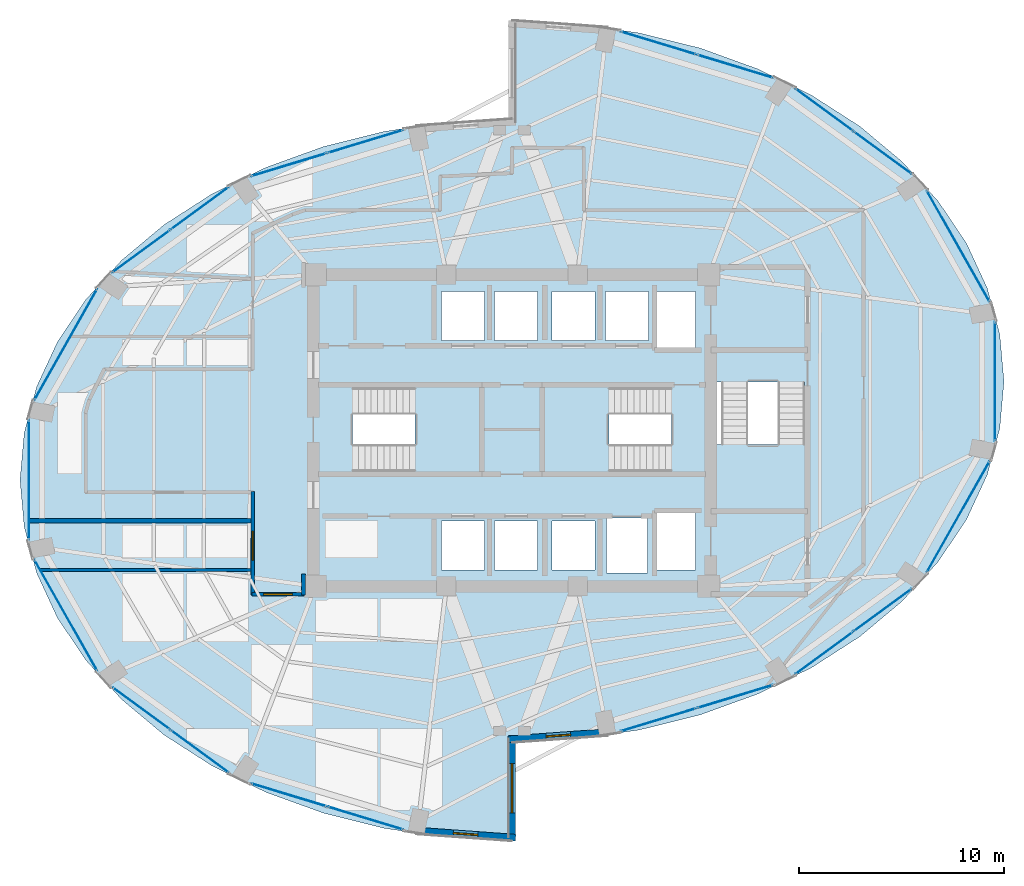
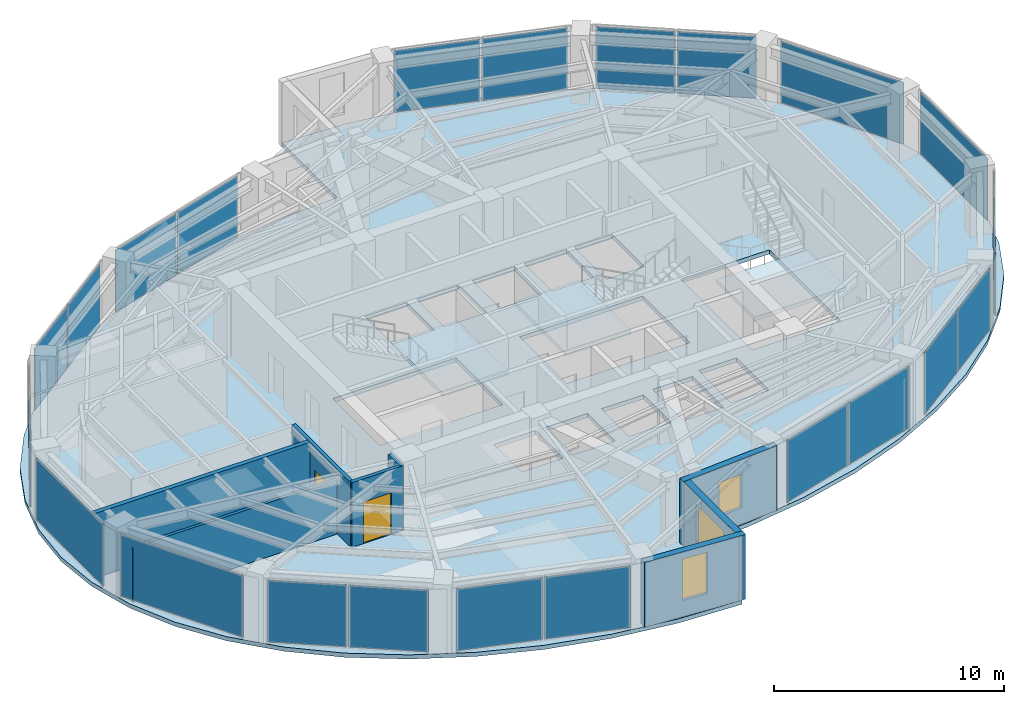
# One storey, part 15 of 20: 22 plates, 8 walls, 4 slabs, 3 windows, 2 doors, 5 openings, 17 elements without a shape of their own.
"""IFC4 building model written with IfcOpenShell, lengths in metres."""

from ifc_helpers import new_model, si_unit, direction, frame, frame_2d, origin, origin_2d, place, context, subcontext, project, spatial, polyline, rectangle, outline, extrude, material, layer, layer_set, type_object, element, fill, aggregate, save


model = new_model("IFC4")

# Units and contexts
model_context = context("Model", 3, precision=1e-05, world=origin(), true_north=direction((0.0, 1.0)))
body_context = subcontext(model_context, "Body", "Model", "MODEL_VIEW")
ifc_project = project(units=[si_unit("LENGTHUNIT", "METRE"), si_unit("AREAUNIT", "SQUARE_METRE"), si_unit("VOLUMEUNIT", "CUBIC_METRE"), si_unit("PLANEANGLEUNIT", "RADIAN"), si_unit("MASSUNIT", "GRAM", prefix="KILO")], contexts=[model_context])

# Site, building, storey
site_placement = place(None, origin())
site = spatial("IfcSite", under=ifc_project, at=site_placement, CompositionType="ELEMENT")
building_placement = place(site_placement, origin())
building = spatial("IfcBuilding", under=site, at=building_placement, Name="Lazwardi Medical Tower", CompositionType="ELEMENT")
storey_placement = place(building_placement, frame((0.0, 0.0, 174.76806640625)))
storey = spatial("IfcBuildingStorey", under=building, at=storey_placement, Name="L45", CompositionType="ELEMENT", Elevation=174.76806640625)

# Curtain wall, plates
ifc_material_1 = material(Name="Anodised bronze aluminium and solar control glazing", Category="aluminium")
ifc_layer_1 = layer(ifc_material_1, 0.195068359375)
ifc_layer_set_1 = layer_set([ifc_layer_1], Name="Anodised bronze aluminium and solar control glazing")
curtain_wall_type = type_object("IfcCurtainWallType", Name="CW-SYS-03", PredefinedType="NOTDEFINED", material=ifc_layer_set_1)
curtain_wall_1_placement = place(storey_placement, origin())
curtain_wall_1 = element("IfcCurtainWall", 1, at=curtain_wall_1_placement, inside=storey, type_object=curtain_wall_type, Name="L45 Unitised bronze curtain wall CW-03", PredefinedType="NOTDEFINED")
ifc_material_2 = material(Name="Low-e bronze solar control double glazing", Category="glass")
ifc_layer_2 = layer(ifc_material_2, 0.035888671875)
ifc_layer_set_2 = layer_set([ifc_layer_2], Name="Low-e bronze solar control double glazing")
plate_type = type_object("IfcPlateType", Name="PLT-GLZ-01", PredefinedType="CURTAIN_PANEL", material=ifc_layer_set_2)
plate_1_placement = place(storey_placement, frame((43.1435546875, 13.8935546875, 0.07470703125), z_axis=(0.0, 0.0, 1.0), x_axis=(0.956941516292, 0.290280785441, 0.0)))
plate_1 = element("IfcPlate", 2, at=plate_1_placement, type_object=plate_type, Name="CW-03 panel 1.1", PredefinedType="CURTAIN_PANEL", context=body_context, shape_type="SweptSolid", body=[
    extrude(rectangle(XDim=3.83642578125, YDim=0.035888671875, at=origin_2d()), origin(), (0.0, 0.0, 1.0), 3.278076171875),
])
plate_2_placement = place(storey_placement, frame((46.88671875, 15.029052734375, 0.07470703125), z_axis=(0.0, 0.0, 1.0), x_axis=(0.956941516292, 0.290280785441, 0.0)))
plate_2 = element("IfcPlate", 3, at=plate_2_placement, type_object=plate_type, Name="CW-03 panel 2.1", PredefinedType="CURTAIN_PANEL", context=body_context, shape_type="SweptSolid", body=[
    extrude(rectangle(XDim=3.83642578125, YDim=0.035888671875, at=origin_2d()), origin(), (0.0, 0.0, 1.0), 3.278076171875),
])
aggregate(curtain_wall_1, [plate_1, plate_2])

curtain_wall_2_placement = place(storey_placement, origin())
curtain_wall_2 = element("IfcCurtainWall", 4, at=curtain_wall_2_placement, inside=storey, type_object=curtain_wall_type, Name="L45 Unitised bronze curtain wall CW-03", PredefinedType="NOTDEFINED")
plate_3_placement = place(storey_placement, frame((51.2265625, 17.153076171875, 0.07470703125), z_axis=(0.0, 0.0, 1.0), x_axis=(0.806793249082, 0.590833862635, 0.0)))
plate_3 = element("IfcPlate", 5, at=plate_3_placement, type_object=plate_type, Name="CW-03 panel 1.1", PredefinedType="CURTAIN_PANEL", context=body_context, shape_type="SweptSolid", body=[
    extrude(rectangle(XDim=3.472412109375, YDim=0.035888671875, at=origin_2d()), origin(), (0.0, 0.0, 1.0), 3.278076171875),
])
plate_4_placement = place(storey_placement, frame((54.088623046875, 19.2490234375, 0.07470703125), z_axis=(0.0, 0.0, 1.0), x_axis=(0.806793249082, 0.590833862635, 0.0)))
plate_4 = element("IfcPlate", 6, at=plate_4_placement, type_object=plate_type, Name="CW-03 panel 2.1", PredefinedType="CURTAIN_PANEL", context=body_context, shape_type="SweptSolid", body=[
    extrude(rectangle(XDim=3.472412109375, YDim=0.035888671875, at=origin_2d()), origin(), (0.0, 0.0, 1.0), 3.278076171875),
])
aggregate(curtain_wall_2, [plate_3, plate_4])

# Curtain wall, plate
curtain_wall_3_placement = place(storey_placement, origin())
curtain_wall_3 = element("IfcCurtainWall", 7, at=curtain_wall_3_placement, inside=storey, type_object=curtain_wall_type, Name="L45 Unitised bronze curtain wall CW-03", PredefinedType="NOTDEFINED")
plate_5_placement = place(storey_placement, frame((57.764404296875, 23.798095703125, 0.07470703125), z_axis=(0.0, 0.0, 1.0), x_axis=(0.492311672683, 0.870418989303, 0.0)))
plate_5 = element("IfcPlate", 8, at=plate_5_placement, type_object=plate_type, Name="CW-03 panel 1.1", PredefinedType="CURTAIN_PANEL", context=body_context, shape_type="SweptSolid", body=[
    extrude(rectangle(XDim=6.208740234375, YDim=0.035888671875, at=origin_2d()), origin(), (0.0, 0.0, 1.0), 3.278076171875),
])
aggregate(curtain_wall_3, [plate_5])

curtain_wall_4_placement = place(storey_placement, origin())
curtain_wall_4 = element("IfcCurtainWall", 9, at=curtain_wall_4_placement, inside=storey, type_object=curtain_wall_type, Name="L45 Unitised bronze curtain wall CW-03", PredefinedType="NOTDEFINED")
plate_6_placement = place(storey_placement, frame((59.5576171875, 30.39990234375, 0.07470703125), z_axis=(0.0, 0.0, 1.0), x_axis=(0.0, 1.0, 0.0)))
plate_6 = element("IfcPlate", 10, at=plate_6_placement, type_object=plate_type, Name="CW-03 panel 1.1", PredefinedType="CURTAIN_PANEL", context=body_context, shape_type="SweptSolid", body=[
    extrude(rectangle(XDim=5.8408203125, YDim=0.035888671875, at=origin_2d()), origin(), (0.0, 0.0, 1.0), 3.278076171875),
])
aggregate(curtain_wall_4, [plate_6])

curtain_wall_5_placement = place(storey_placement, origin())
curtain_wall_5 = element("IfcCurtainWall", 11, at=curtain_wall_5_placement, inside=storey, type_object=curtain_wall_type, Name="L45 Unitised bronze curtain wall CW-03", PredefinedType="NOTDEFINED")
plate_7_placement = place(storey_placement, frame((57.764404296875, 37.001953125, 0.07470703125), z_axis=(0.0, 0.0, 1.0), x_axis=(-0.492311672683, 0.870418989303, 0.0)))
plate_7 = element("IfcPlate", 12, at=plate_7_placement, type_object=plate_type, Name="CW-03 panel 1.1", PredefinedType="CURTAIN_PANEL", context=body_context, shape_type="SweptSolid", body=[
    extrude(rectangle(XDim=6.208740234375, YDim=0.035888671875, at=origin_2d()), origin(), (0.0, 0.0, 1.0), 3.278076171875),
])
aggregate(curtain_wall_5, [plate_7])

# Curtain wall, plates
curtain_wall_6_placement = place(storey_placement, origin())
curtain_wall_6 = element("IfcCurtainWall", 13, at=curtain_wall_6_placement, inside=storey, type_object=curtain_wall_type, Name="L45 Unitised bronze curtain wall CW-03", PredefinedType="NOTDEFINED")
plate_8_placement = place(storey_placement, frame((54.088623046875, 41.551025390625, 0.07470703125), z_axis=(0.0, 0.0, 1.0), x_axis=(-0.806793249082, 0.590833862635, 0.0)))
plate_8 = element("IfcPlate", 14, at=plate_8_placement, type_object=plate_type, Name="CW-03 panel 1.1", PredefinedType="CURTAIN_PANEL", context=body_context, shape_type="SweptSolid", body=[
    extrude(rectangle(XDim=3.472412109375, YDim=0.035888671875, at=origin_2d()), origin(), (0.0, 0.0, 1.0), 3.278076171875),
])
plate_9_placement = place(storey_placement, frame((51.2265625, 43.64697265625, 0.07470703125), z_axis=(0.0, 0.0, 1.0), x_axis=(-0.806793249082, 0.590833862635, 0.0)))
plate_9 = element("IfcPlate", 15, at=plate_9_placement, type_object=plate_type, Name="CW-03 panel 2.1", PredefinedType="CURTAIN_PANEL", context=body_context, shape_type="SweptSolid", body=[
    extrude(rectangle(XDim=3.472412109375, YDim=0.035888671875, at=origin_2d()), origin(), (0.0, 0.0, 1.0), 3.278076171875),
])
aggregate(curtain_wall_6, [plate_8, plate_9])

curtain_wall_7_placement = place(storey_placement, origin())
curtain_wall_7 = element("IfcCurtainWall", 16, at=curtain_wall_7_placement, inside=storey, type_object=curtain_wall_type, Name="L45 Unitised bronze curtain wall CW-03", PredefinedType="NOTDEFINED")
plate_10_placement = place(storey_placement, frame((46.88671875, 45.77099609375, 0.07470703125), z_axis=(0.0, 0.0, 1.0), x_axis=(-0.956941516292, 0.290280785441, 0.0)))
plate_10 = element("IfcPlate", 17, at=plate_10_placement, type_object=plate_type, Name="CW-03 panel 1.1", PredefinedType="CURTAIN_PANEL", context=body_context, shape_type="SweptSolid", body=[
    extrude(rectangle(XDim=3.83642578125, YDim=0.035888671875, at=origin_2d()), origin(), (0.0, 0.0, 1.0), 3.278076171875),
])
plate_11_placement = place(storey_placement, frame((43.1435546875, 46.906494140625, 0.07470703125), z_axis=(0.0, 0.0, 1.0), x_axis=(-0.956941516292, 0.290280785441, 0.0)))
plate_11 = element("IfcPlate", 18, at=plate_11_placement, type_object=plate_type, Name="CW-03 panel 2.1", PredefinedType="CURTAIN_PANEL", context=body_context, shape_type="SweptSolid", body=[
    extrude(rectangle(XDim=3.83642578125, YDim=0.035888671875, at=origin_2d()), origin(), (0.0, 0.0, 1.0), 3.278076171875),
])
aggregate(curtain_wall_7, [plate_10, plate_11])

curtain_wall_8_placement = place(storey_placement, origin())
curtain_wall_8 = element("IfcCurtainWall", 19, at=curtain_wall_8_placement, inside=storey, type_object=curtain_wall_type, Name="L45 Unitised bronze curtain wall CW-03", PredefinedType="NOTDEFINED")
plate_12_placement = place(storey_placement, frame((28.8564453125, 42.1064453125, 0.07470703125), z_axis=(0.0, 0.0, 1.0), x_axis=(-0.956941516292, -0.290280785441, 0.0)))
plate_12 = element("IfcPlate", 20, at=plate_12_placement, type_object=plate_type, Name="CW-03 panel 1.1", PredefinedType="CURTAIN_PANEL", context=body_context, shape_type="SweptSolid", body=[
    extrude(rectangle(XDim=3.83642578125, YDim=0.035888671875, at=origin_2d()), origin(), (0.0, 0.0, 1.0), 3.278076171875),
])
plate_13_placement = place(storey_placement, frame((25.11328125, 40.970947265625, 0.07470703125), z_axis=(0.0, 0.0, 1.0), x_axis=(-0.956941516292, -0.290280785441, 0.0)))
plate_13 = element("IfcPlate", 21, at=plate_13_placement, type_object=plate_type, Name="CW-03 panel 2.1", PredefinedType="CURTAIN_PANEL", context=body_context, shape_type="SweptSolid", body=[
    extrude(rectangle(XDim=3.83642578125, YDim=0.035888671875, at=origin_2d()), origin(), (0.0, 0.0, 1.0), 3.278076171875),
])
aggregate(curtain_wall_8, [plate_12, plate_13])

curtain_wall_9_placement = place(storey_placement, origin())
curtain_wall_9 = element("IfcCurtainWall", 22, at=curtain_wall_9_placement, inside=storey, type_object=curtain_wall_type, Name="L45 Unitised bronze curtain wall CW-03", PredefinedType="NOTDEFINED")
plate_14_placement = place(storey_placement, frame((20.7734375, 38.846923828125, 0.07470703125), z_axis=(0.0, 0.0, 1.0), x_axis=(-0.806793249082, -0.590833862635, 0.0)))
plate_14 = element("IfcPlate", 23, at=plate_14_placement, type_object=plate_type, Name="CW-03 panel 1.1", PredefinedType="CURTAIN_PANEL", context=body_context, shape_type="SweptSolid", body=[
    extrude(rectangle(XDim=3.472412109375, YDim=0.035888671875, at=origin_2d()), origin(), (0.0, 0.0, 1.0), 3.278076171875),
])
plate_15_placement = place(storey_placement, frame((17.911376953125, 36.7509765625, 0.07470703125), z_axis=(0.0, 0.0, 1.0), x_axis=(-0.806793249082, -0.590833862635, 0.0)))
plate_15 = element("IfcPlate", 24, at=plate_15_placement, type_object=plate_type, Name="CW-03 panel 2.1", PredefinedType="CURTAIN_PANEL", context=body_context, shape_type="SweptSolid", body=[
    extrude(rectangle(XDim=3.472412109375, YDim=0.035888671875, at=origin_2d()), origin(), (0.0, 0.0, 1.0), 3.278076171875),
])
aggregate(curtain_wall_9, [plate_14, plate_15])

# Curtain wall, plate
curtain_wall_10_placement = place(storey_placement, origin())
curtain_wall_10 = element("IfcCurtainWall", 25, at=curtain_wall_10_placement, inside=storey, type_object=curtain_wall_type, Name="L45 Unitised bronze curtain wall CW-03", PredefinedType="NOTDEFINED")
plate_16_placement = place(storey_placement, frame((14.235595703125, 32.201904296875, 0.07470703125), z_axis=(0.0, 0.0, 1.0), x_axis=(-0.492311672683, -0.870418989303, 0.0)))
plate_16 = element("IfcPlate", 26, at=plate_16_placement, type_object=plate_type, Name="CW-03 panel 1.1", PredefinedType="CURTAIN_PANEL", context=body_context, shape_type="SweptSolid", body=[
    extrude(rectangle(XDim=6.208740234375, YDim=0.035888671875, at=origin_2d()), origin(), (0.0, 0.0, 1.0), 3.278076171875),
])
aggregate(curtain_wall_10, [plate_16])

curtain_wall_11_placement = place(storey_placement, origin())
curtain_wall_11 = element("IfcCurtainWall", 27, at=curtain_wall_11_placement, inside=storey, type_object=curtain_wall_type, Name="L45 Unitised bronze curtain wall CW-03", PredefinedType="NOTDEFINED")
plate_17_placement = place(storey_placement, frame((12.4423828125, 25.60009765625, 0.07470703125), z_axis=(0.0, 0.0, 1.0), x_axis=(0.0, -1.0, 0.0)))
plate_17 = element("IfcPlate", 28, at=plate_17_placement, type_object=plate_type, Name="CW-03 panel 1.1", PredefinedType="CURTAIN_PANEL", context=body_context, shape_type="SweptSolid", body=[
    extrude(rectangle(XDim=5.8408203125, YDim=0.035888671875, at=origin_2d()), origin(), (0.0, 0.0, 1.0), 3.278076171875),
])
aggregate(curtain_wall_11, [plate_17])

curtain_wall_12_placement = place(storey_placement, origin())
curtain_wall_12 = element("IfcCurtainWall", 29, at=curtain_wall_12_placement, inside=storey, type_object=curtain_wall_type, Name="L45 Unitised bronze curtain wall CW-03", PredefinedType="NOTDEFINED")
plate_18_placement = place(storey_placement, frame((14.235595703125, 18.998046875, 0.07470703125), z_axis=(0.0, 0.0, 1.0), x_axis=(0.492311672683, -0.870418989303, 0.0)))
plate_18 = element("IfcPlate", 30, at=plate_18_placement, type_object=plate_type, Name="CW-03 panel 1.1", PredefinedType="CURTAIN_PANEL", context=body_context, shape_type="SweptSolid", body=[
    extrude(rectangle(XDim=6.208740234375, YDim=0.035888671875, at=origin_2d()), origin(), (0.0, 0.0, 1.0), 3.278076171875),
])
aggregate(curtain_wall_12, [plate_18])

# Curtain wall, plates
curtain_wall_13_placement = place(storey_placement, origin())
curtain_wall_13 = element("IfcCurtainWall", 31, at=curtain_wall_13_placement, inside=storey, type_object=curtain_wall_type, Name="L45 Unitised bronze curtain wall CW-03", PredefinedType="NOTDEFINED")
plate_19_placement = place(storey_placement, frame((17.911376953125, 14.448974609375, 0.07470703125), z_axis=(0.0, 0.0, 1.0), x_axis=(0.806793249082, -0.590833862635, 0.0)))
plate_19 = element("IfcPlate", 32, at=plate_19_placement, type_object=plate_type, Name="CW-03 panel 1.1", PredefinedType="CURTAIN_PANEL", context=body_context, shape_type="SweptSolid", body=[
    extrude(rectangle(XDim=3.472412109375, YDim=0.035888671875, at=origin_2d()), origin(), (0.0, 0.0, 1.0), 3.278076171875),
])
plate_20_placement = place(storey_placement, frame((20.7734375, 12.35302734375, 0.07470703125), z_axis=(0.0, 0.0, 1.0), x_axis=(0.806793249082, -0.590833862635, 0.0)))
plate_20 = element("IfcPlate", 33, at=plate_20_placement, type_object=plate_type, Name="CW-03 panel 2.1", PredefinedType="CURTAIN_PANEL", context=body_context, shape_type="SweptSolid", body=[
    extrude(rectangle(XDim=3.472412109375, YDim=0.035888671875, at=origin_2d()), origin(), (0.0, 0.0, 1.0), 3.278076171875),
])
aggregate(curtain_wall_13, [plate_19, plate_20])

curtain_wall_14_placement = place(storey_placement, origin())
curtain_wall_14 = element("IfcCurtainWall", 34, at=curtain_wall_14_placement, inside=storey, type_object=curtain_wall_type, Name="L45 Unitised bronze curtain wall CW-03", PredefinedType="NOTDEFINED")
plate_21_placement = place(storey_placement, frame((25.11328125, 10.22900390625, 0.07470703125), z_axis=(0.0, 0.0, 1.0), x_axis=(0.956941516292, -0.290280785441, 0.0)))
plate_21 = element("IfcPlate", 35, at=plate_21_placement, type_object=plate_type, Name="CW-03 panel 1.1", PredefinedType="CURTAIN_PANEL", context=body_context, shape_type="SweptSolid", body=[
    extrude(rectangle(XDim=3.83642578125, YDim=0.035888671875, at=origin_2d()), origin(), (0.0, 0.0, 1.0), 3.278076171875),
])
plate_22_placement = place(storey_placement, frame((28.8564453125, 9.093505859375, 0.07470703125), z_axis=(0.0, 0.0, 1.0), x_axis=(0.956941516292, -0.290280785441, 0.0)))
plate_22 = element("IfcPlate", 36, at=plate_22_placement, type_object=plate_type, Name="CW-03 panel 2.1", PredefinedType="CURTAIN_PANEL", context=body_context, shape_type="SweptSolid", body=[
    extrude(rectangle(XDim=3.83642578125, YDim=0.035888671875, at=origin_2d()), origin(), (0.0, 0.0, 1.0), 3.278076171875),
])
aggregate(curtain_wall_14, [plate_21, plate_22])

# Stair, slab
ifc_material_3 = material(Name="Concrete C45/55", Category="concrete")
stair_type = type_object("IfcStairType", Name="STR-WRD", PredefinedType="HALF_TURN_STAIR", material=ifc_material_3)
stair_1_placement = place(storey_placement, origin())
stair_1 = element("IfcStair", 37, at=stair_1_placement, inside=storey, type_object=stair_type, Name="L45 Protected Exit Stair ST1", PredefinedType="HALF_TURN_STAIR")
ifc_layer_3 = layer(ifc_material_3, 0.199951171875)
ifc_layer_set_3 = layer_set([ifc_layer_3], Name="Concrete C45/55")
slab_type_1 = type_object("IfcSlabType", Name="SLB-LND-190", PredefinedType="LANDING", material=ifc_layer_set_3)
slab_1_placement = place(storey_placement, frame((0.0, 0.0, 1.6240234375)))
slab_1 = element("IfcSlab", 38, at=slab_1_placement, type_object=slab_type_1, Name="ST1 landing 1", PredefinedType="LANDING", context=body_context, shape_type="SweptSolid", body=[
    extrude(outline(polyline([(31.27490234375, 25.840087890625), (34.580078125, 25.840087890625), (34.580078125, 30.280029296875), (31.27490234375, 30.280029296875), (31.27490234375, 25.840087890625)])), origin(), (0.0, 0.0, 1.0), 0.199951171875),
])
aggregate(stair_1, [slab_1])

stair_2_placement = place(storey_placement, origin())
stair_2 = element("IfcStair", 39, at=stair_2_placement, inside=storey, type_object=stair_type, Name="L45 Protected Exit Stair ST2", PredefinedType="HALF_TURN_STAIR")
slab_2_placement = place(storey_placement, frame((0.0, 0.0, 1.6240234375)))
slab_2 = element("IfcSlab", 40, at=slab_2_placement, type_object=slab_type_1, Name="ST2 landing 1", PredefinedType="LANDING", context=body_context, shape_type="SweptSolid", body=[
    extrude(outline(polyline([(40.72509765625, 30.280029296875), (37.419921875, 30.280029296875), (37.419921875, 25.840087890625), (40.72509765625, 25.840087890625), (40.72509765625, 30.280029296875)])), origin(), (0.0, 0.0, 1.0), 0.199951171875),
])
aggregate(stair_2, [slab_2])

stair_3_placement = place(storey_placement, origin())
stair_3 = element("IfcStair", 41, at=stair_3_placement, inside=storey, type_object=stair_type, Name="L45 Protected Exit Stair ST3", PredefinedType="HALF_TURN_STAIR")
slab_3_placement = place(storey_placement, frame((0.0, 0.0, 1.6240234375)))
slab_3 = element("IfcSlab", 42, at=slab_3_placement, type_object=slab_type_1, Name="ST3 landing 1", PredefinedType="LANDING", context=body_context, shape_type="SweptSolid", body=[
    extrude(outline(polyline([(45.860107421875, 27.324951171875), (45.860107421875, 24.02001953125), (50.4599609375, 24.02001953125), (50.4599609375, 27.324951171875), (45.860107421875, 27.324951171875)])), origin(), (0.0, 0.0, 1.0), 0.199951171875),
])
aggregate(stair_3, [slab_3])

# Slab
ifc_material_4 = material(Name="Concrete C50/60", Category="concrete")
ifc_layer_4 = layer(ifc_material_4, 0.219970703125)
ifc_layer_set_4 = layer_set([ifc_layer_4], Name="Concrete C50/60")
slab_type_2 = type_object("IfcSlabType", Name="SLB-WRD-220", PredefinedType="FLOOR", material=ifc_layer_set_4)
slab_4_placement = place(storey_placement, frame((0.0, 0.0, -0.219970703125)))
element("IfcSlab", 43, at=slab_4_placement, inside=storey, type_object=slab_type_2, Name="Structural floor slab SF-03 L45", PredefinedType="FLOOR", context=body_context, shape_type="SweptSolid", body=[
    extrude(outline(polyline([(12.205322265625, 23.302734375), (12.81787109375, 21.044921875), (13.826904296875, 18.86474609375), (15.21533203125, 16.800048828125), (16.95947265625, 14.8857421875), (19.029296875, 13.15478515625), (21.3896484375, 11.636962890625), (24.0, 10.35791015625), (26.815673828125, 9.339599609375), (29.788330078125, 8.599609375), (32.867431640625, 8.150634765625), (36.0, 8.0), (36.0, 12.800048828125), (39.132568359375, 12.95068359375), (42.211669921875, 13.399658203125), (45.184326171875, 14.1396484375), (48.0, 15.157958984375), (50.6103515625, 16.43701171875), (52.970703125, 17.954833984375), (55.04052734375, 19.685791015625), (56.78466796875, 21.60009765625), (58.173095703125, 23.664794921875), (59.18212890625, 25.8447265625), (59.794677734375, 28.102783203125), (60.0, 30.39990234375), (59.794677734375, 32.697265625), (59.18212890625, 34.955078125), (58.173095703125, 37.13525390625), (56.78466796875, 39.199951171875), (55.04052734375, 41.1142578125), (52.970703125, 42.84521484375), (50.6103515625, 44.363037109375), (48.0, 45.64208984375), (45.184326171875, 46.660400390625), (42.211669921875, 47.400390625), (39.132568359375, 47.849365234375), (36.0, 48.0), (36.0, 43.199951171875), (32.867431640625, 43.04931640625), (29.788330078125, 42.600341796875), (26.815673828125, 41.8603515625), (24.0, 40.842041015625), (21.3896484375, 39.56298828125), (19.029296875, 38.045166015625), (16.95947265625, 36.314208984375), (15.21533203125, 34.39990234375), (13.826904296875, 32.335205078125), (12.81787109375, 30.1552734375), (12.205322265625, 27.897216796875), (12.0, 25.60009765625), (12.205322265625, 23.302734375)]), holes=[polyline([(28.22509765625, 26.02001953125), (28.22509765625, 30.10009765625), (34.39990234375, 30.10009765625), (34.39990234375, 26.02001953125), (28.22509765625, 26.02001953125)]), polyline([(37.60009765625, 30.10009765625), (43.77490234375, 30.10009765625), (43.77490234375, 26.02001953125), (37.60009765625, 26.02001953125), (37.60009765625, 30.10009765625)]), polyline([(50.280029296875, 30.375), (50.280029296875, 24.179931640625), (45.840087890625, 24.179931640625), (45.840087890625, 30.375), (50.280029296875, 30.375)]), polyline([(34.64990234375, 32.39990234375), (32.550048828125, 32.39990234375), (32.550048828125, 34.800048828125), (34.64990234375, 34.800048828125), (34.64990234375, 32.39990234375)]), polyline([(35.14990234375, 32.39990234375), (35.14990234375, 34.800048828125), (37.25, 34.800048828125), (37.25, 32.39990234375), (35.14990234375, 32.39990234375)]), polyline([(32.550048828125, 23.60009765625), (34.64990234375, 23.60009765625), (34.64990234375, 21.199951171875), (32.550048828125, 21.199951171875), (32.550048828125, 23.60009765625)]), polyline([(37.25, 23.60009765625), (37.25, 21.199951171875), (35.14990234375, 21.199951171875), (35.14990234375, 23.60009765625), (37.25, 23.60009765625)]), polyline([(40.050048828125, 32.39990234375), (37.949951171875, 32.39990234375), (37.949951171875, 34.800048828125), (40.050048828125, 34.800048828125), (40.050048828125, 32.39990234375)]), polyline([(40.550048828125, 32.39990234375), (40.550048828125, 34.800048828125), (42.64990234375, 34.800048828125), (42.64990234375, 32.39990234375), (40.550048828125, 32.39990234375)]), polyline([(37.949951171875, 23.60009765625), (40.050048828125, 23.60009765625), (40.050048828125, 21.199951171875), (37.949951171875, 21.199951171875), (37.949951171875, 23.60009765625)]), polyline([(44.949951171875, 34.800048828125), (44.949951171875, 32.0), (43.050048828125, 32.0), (43.050048828125, 34.800048828125), (44.949951171875, 34.800048828125)]), polyline([(44.949951171875, 21.199951171875), (43.050048828125, 21.199951171875), (43.050048828125, 24.0), (44.949951171875, 24.0), (44.949951171875, 21.199951171875)]), polyline([(40.60009765625, 21.050048828125), (40.60009765625, 23.75), (42.60009765625, 23.75), (42.60009765625, 21.050048828125), (40.60009765625, 21.050048828125)])]), origin(), (0.0, 0.0, 1.0), 0.219970703125),
])

# Wall
ifc_material_5 = material(Name="Fire-rated gypsum board on steel stud", Category="steel")
ifc_layer_5 = layer(ifc_material_5, 0.179931640625)
ifc_layer_set_5 = layer_set([ifc_layer_5], Name="Fire-rated gypsum board on steel stud")
wall_type_1 = type_object("IfcWallType", Name="WL-COR-180", PredefinedType="PARTITIONING", material=ifc_layer_set_5)
wall_1_placement = place(storey_placement, frame((25.830078125, 21.010009765625, 0.0), z_axis=(0.0, 0.0, 1.0), x_axis=(0.0, -1.0, 0.0)))
element("IfcWall", 44, at=wall_1_placement, inside=storey, type_object=wall_type_1, Name="L45 Corridor partition 16", PredefinedType="PARTITIONING", context=body_context, shape_type="SweptSolid", body=[
    extrude(rectangle(XDim=1.030029296875, YDim=0.179931640625, at=frame_2d((0.51513671875, 0.0))), origin(), (0.0, 0.0, 1.0), 3.427978515625),
])

# Wall, opening, door
wall_2_placement = place(storey_placement, frame((25.8701171875, 20.02001953125, 0.0), z_axis=(0.0, 0.0, 1.0), x_axis=(-1.0, 0.0, 0.0)))
wall_2 = element("IfcWall", 45, at=wall_2_placement, inside=storey, type_object=wall_type_1, Name="L45 Corridor partition 17", PredefinedType="PARTITIONING", context=body_context, shape_type="SweptSolid", body=[
    extrude(rectangle(XDim=2.56005859375, YDim=0.179931640625, at=frame_2d((1.280029296875, 0.0))), origin(), (0.0, 0.0, 1.0), 3.427978515625),
])
opening_1_placement = place(wall_2_placement, frame((0.580078125, 0.0, 0.0)))
opening_1 = element("IfcOpeningElement", 46, at=opening_1_placement, cuts=wall_2, Name="Opening D-L45-011", PredefinedType="OPENING", context=body_context, shape_type="SweptSolid", body=[
    extrude(rectangle(XDim=1.39990234375, YDim=2.199951171875, at=frame_2d((0.699951171875, 1.10009765625))), frame((0.0, 0.099853515625, 0.0), z_axis=(0.0, -1.0, 0.0), x_axis=(1.0, 0.0, 0.0)), (0.0, 0.0, 1.0), 0.199951171875),
])
ifc_material_6 = material(Name="Anti-microbial laminate hospital leaf")
door_type = type_object("IfcDoorType", Name="DR-BED-1400", OperationType="NOTDEFINED", PredefinedType="DOOR", material=ifc_material_6)
door_1_placement = place(opening_1_placement, origin())
door_1 = element("IfcDoor", 47, at=door_1_placement, inside=storey, type_object=door_type, Name="L45 Department Reception Foyer Door 02", OperationType="SINGLE_SWING_RIGHT", OverallHeight=2.199951171875, OverallWidth=1.39990234375, PredefinedType="DOOR", context=body_context, shape_type="SweptSolid", body=[
    extrude(rectangle(XDim=1.39990234375, YDim=2.199951171875, at=frame_2d((0.699951171875, 1.10009765625))), frame((0.0, 0.02490234375, 0.0), z_axis=(0.0, -1.0, 0.0), x_axis=(1.0, 0.0, 0.0)), (0.0, 0.0, 1.0), 0.050048828125),
])
fill(opening_1, door_1)

wall_3_placement = place(storey_placement, frame((23.35009765625, 19.97998046875, 0.0), z_axis=(0.0, 0.0, 1.0), x_axis=(0.0, 1.0, 0.0)))
wall_3 = element("IfcWall", 48, at=wall_3_placement, inside=storey, type_object=wall_type_1, Name="L45 Corridor partition 18", PredefinedType="PARTITIONING", context=body_context, shape_type="SweptSolid", body=[
    extrude(rectangle(XDim=5.06005859375, YDim=0.179931640625, at=frame_2d((2.530029296875, 0.0))), origin(), (0.0, 0.0, 1.0), 3.427978515625),
])
opening_2_placement = place(wall_3_placement, frame((1.702392578125, 0.0, 0.0)))
opening_2 = element("IfcOpeningElement", 49, at=opening_2_placement, cuts=wall_3, Name="Opening D-L45-010", PredefinedType="OPENING", context=body_context, shape_type="SweptSolid", body=[
    extrude(rectangle(XDim=1.39990234375, YDim=2.199951171875, at=frame_2d((0.699951171875, 1.10009765625))), frame((0.0, 0.099853515625, 0.0), z_axis=(0.0, -1.0, 0.0), x_axis=(1.0, 0.0, 0.0)), (0.0, 0.0, 1.0), 0.199951171875),
])
door_2_placement = place(opening_2_placement, origin())
door_2 = element("IfcDoor", 50, at=door_2_placement, inside=storey, type_object=door_type, Name="L45 Rehabilitation Gymnasium Door 01", OperationType="SINGLE_SWING_LEFT", OverallHeight=2.199951171875, OverallWidth=1.39990234375, PredefinedType="DOOR", context=body_context, shape_type="SweptSolid", body=[
    extrude(rectangle(XDim=1.39990234375, YDim=2.199951171875, at=frame_2d((0.699951171875, 1.10009765625))), frame((0.0, 0.02490234375, 0.0), z_axis=(0.0, -1.0, 0.0), x_axis=(1.0, 0.0, 0.0)), (0.0, 0.0, 1.0), 0.050048828125),
])
fill(opening_2, door_2)

# Wall, opening, window
ifc_material_7 = material(Name="Precast concrete C45/55", Category="concrete")
ifc_layer_6 = layer(ifc_material_7, 0.320068359375)
ifc_layer_set_6 = layer_set([ifc_layer_6], Name="Precast concrete C45/55")
wall_type_2 = type_object("IfcWallType", Name="WL-IWAN-320", PredefinedType="SOLIDWALL", material=ifc_layer_set_6)
wall_4_placement = place(storey_placement, frame((35.820556640625, 12.947021484375, 0.0), z_axis=(0.0, 0.0, 1.0), x_axis=(0.997415460462, 0.071849838072, 0.0)))
wall_4 = element("IfcWall", 51, at=wall_4_placement, inside=storey, type_object=wall_type_2, Name="L45 Iwan Portal Return Wall SE_ret", PredefinedType="SOLIDWALL", context=body_context, shape_type="SweptSolid", body=[
    extrude(rectangle(XDim=4.89306640625, YDim=0.320068359375, at=frame_2d((2.446533203125, 0.0))), origin(), (0.0, 0.0, 1.0), 3.427978515625),
])
opening_3_placement = place(wall_4_placement, frame((1.846435546875, 0.0, 0.85009765625)))
opening_3 = element("IfcOpeningElement", 52, at=opening_3_placement, cuts=wall_4, Name="Opening WN-04", PredefinedType="OPENING", context=body_context, shape_type="SweptSolid", body=[
    extrude(rectangle(XDim=1.199951171875, YDim=1.800048828125, at=frame_2d((0.60009765625, 0.89990234375))), frame((0.0, 0.169921875, 0.0), z_axis=(0.0, -1.0, 0.0), x_axis=(1.0, 0.0, 0.0)), (0.0, 0.0, 1.0), 0.340087890625),
])
window_type_1 = type_object("IfcWindowType", Name="WIN-DRUM-1200", PartitioningType="SINGLE_PANEL", PredefinedType="WINDOW", material=ifc_material_2)
window_1_placement = place(opening_3_placement, origin())
window_1 = element("IfcWindow", 53, at=window_1_placement, inside=storey, type_object=window_type_1, Name="L45 Iwan Slot Window SE_ret", OverallHeight=1.800048828125, OverallWidth=1.199951171875, PartitioningType="SINGLE_PANEL", PredefinedType="WINDOW", context=body_context, shape_type="SweptSolid", body=[
    extrude(rectangle(XDim=1.199951171875, YDim=1.800048828125, at=frame_2d((0.60009765625, 0.89990234375))), frame((0.0, 0.030029296875, 0.0), z_axis=(0.0, -1.0, 0.0), x_axis=(1.0, 0.0, 0.0)), (0.0, 0.0, 1.0), 0.06005859375),
])
fill(opening_3, window_1)

wall_5_placement = place(storey_placement, frame((31.299072265625, 8.498779296875, 0.0), z_axis=(0.0, 0.0, 1.0), x_axis=(0.997415202861, -0.071853413984, 0.0)))
wall_5 = element("IfcWall", 54, at=wall_5_placement, inside=storey, type_object=wall_type_2, Name="L45 Iwan Portal Return Wall SW_ret", PredefinedType="SOLIDWALL", context=body_context, shape_type="SweptSolid", body=[
    extrude(rectangle(XDim=4.892822265625, YDim=0.320068359375, at=frame_2d((2.4462890625, 0.0))), origin(), (0.0, 0.0, 1.0), 3.427978515625),
])
opening_4_placement = place(wall_5_placement, frame((1.84619140625, 0.0, 0.85009765625)))
opening_4 = element("IfcOpeningElement", 55, at=opening_4_placement, cuts=wall_5, Name="Opening WN-01", PredefinedType="OPENING", context=body_context, shape_type="SweptSolid", body=[
    extrude(rectangle(XDim=1.199951171875, YDim=2.199951171875, at=frame_2d((0.60009765625, 1.10009765625))), frame((0.0, 0.169921875, 0.0), z_axis=(0.0, -1.0, 0.0), x_axis=(1.0, 0.0, 0.0)), (0.0, 0.0, 1.0), 0.340087890625),
])
window_type_2 = type_object("IfcWindowType", Name="WIN-IW-1200", PartitioningType="SINGLE_PANEL", PredefinedType="WINDOW", material=ifc_material_2)
window_2_placement = place(opening_4_placement, origin())
window_2 = element("IfcWindow", 56, at=window_2_placement, inside=storey, type_object=window_type_2, Name="L45 Iwan Slot Window SW_ret", OverallHeight=2.199951171875, OverallWidth=1.199951171875, PartitioningType="SINGLE_PANEL", PredefinedType="WINDOW", context=body_context, shape_type="SweptSolid", body=[
    extrude(rectangle(XDim=1.199951171875, YDim=2.199951171875, at=frame_2d((0.60009765625, 1.10009765625))), frame((0.0, 0.030029296875, 0.0), z_axis=(0.0, -1.0, 0.0), x_axis=(1.0, 0.0, 0.0)), (0.0, 0.0, 1.0), 0.06005859375),
])
fill(opening_4, window_2)

wall_6_placement = place(storey_placement, frame((36.0, 8.0, 0.0), z_axis=(0.0, 0.0, 1.0), x_axis=(0.0, 1.0, 0.0)))
wall_6 = element("IfcWall", 57, at=wall_6_placement, inside=storey, type_object=wall_type_2, Name="L45 Turquoise Tilework Iwan Seam Wall S_seam", PredefinedType="SOLIDWALL", context=body_context, shape_type="SweptSolid", body=[
    extrude(rectangle(XDim=5.1201171875, YDim=0.320068359375, at=frame_2d((2.56005859375, 0.0))), origin(), (0.0, 0.0, 1.0), 3.427978515625),
])
opening_5_placement = place(wall_6_placement, frame((1.360107421875, 0.0, 0.840087890625)))
opening_5 = element("IfcOpeningElement", 58, at=opening_5_placement, cuts=wall_6, Name="Opening WN-02", PredefinedType="OPENING", context=body_context, shape_type="SweptSolid", body=[
    extrude(rectangle(XDim=2.39990234375, YDim=2.0400390625, at=frame_2d((1.199951171875, 1.02001953125))), frame((0.0, 0.169921875, 0.0), z_axis=(0.0, -1.0, 0.0), x_axis=(1.0, 0.0, 0.0)), (0.0, 0.0, 1.0), 0.340087890625),
])
window_type_3 = type_object("IfcWindowType", Name="WIN-IW-2400", PartitioningType="SINGLE_PANEL", PredefinedType="WINDOW", material=ifc_material_2)
window_3_placement = place(opening_5_placement, origin())
window_3 = element("IfcWindow", 59, at=window_3_placement, inside=storey, type_object=window_type_3, Name="L45 Iwan Seam Window S_seam", OverallHeight=2.0400390625, OverallWidth=2.39990234375, PartitioningType="SINGLE_PANEL", PredefinedType="WINDOW", context=body_context, shape_type="SweptSolid", body=[
    extrude(rectangle(XDim=2.39990234375, YDim=2.0400390625, at=frame_2d((1.199951171875, 1.02001953125))), frame((0.0, 0.030029296875, 0.0), z_axis=(0.0, -1.0, 0.0), x_axis=(1.0, 0.0, 0.0)), (0.0, 0.0, 1.0), 0.06005859375),
])
fill(opening_5, window_3)

# Walls
ifc_layer_7 = layer(ifc_material_5, 0.219970703125)
ifc_layer_set_7 = layer_set([ifc_layer_7], Name="Fire-rated gypsum board on steel stud")
wall_type_3 = type_object("IfcWallType", Name="WL-SMK-220", PredefinedType="PARTITIONING", material=ifc_layer_set_7)
wall_7_placement = place(storey_placement, frame((12.452880859375, 23.60009765625, 0.0), z_axis=(0.0, 0.0, 1.0), x_axis=(1.0, 0.0, 0.0)))
element("IfcWall", 60, at=wall_7_placement, inside=storey, type_object=wall_type_3, Name="L45 Room partition 2", PredefinedType="PARTITIONING", context=body_context, shape_type="SweptSolid", body=[
    extrude(rectangle(XDim=10.80712890625, YDim=0.219970703125, at=frame_2d((5.403564453125, 0.0))), origin(), (0.0, 0.0, 1.0), 3.427978515625),
])
ifc_material_8 = material(Name="Acoustic gypsum board partition")
ifc_layer_8 = layer(ifc_material_8, 0.14990234375)
ifc_layer_set_8 = layer_set([ifc_layer_8], Name="Acoustic gypsum board partition")
wall_type_4 = type_object("IfcWallType", Name="WL-WRD-150", PredefinedType="PARTITIONING", material=ifc_layer_set_8)
wall_8_placement = place(storey_placement, frame((12.99853515625, 21.199951171875, 0.0), z_axis=(0.0, 0.0, 1.0), x_axis=(1.0, 0.0, 0.0)))
element("IfcWall", 61, at=wall_8_placement, inside=storey, type_object=wall_type_4, Name="L45 Room partition 1", PredefinedType="PARTITIONING", context=body_context, shape_type="SweptSolid", body=[
    extrude(rectangle(XDim=10.261474609375, YDim=0.14990234375, at=frame_2d((5.130859375, 0.0))), origin(), (0.0, 0.0, 1.0), 2.863037109375),
])

save(model, "model.ifc")
